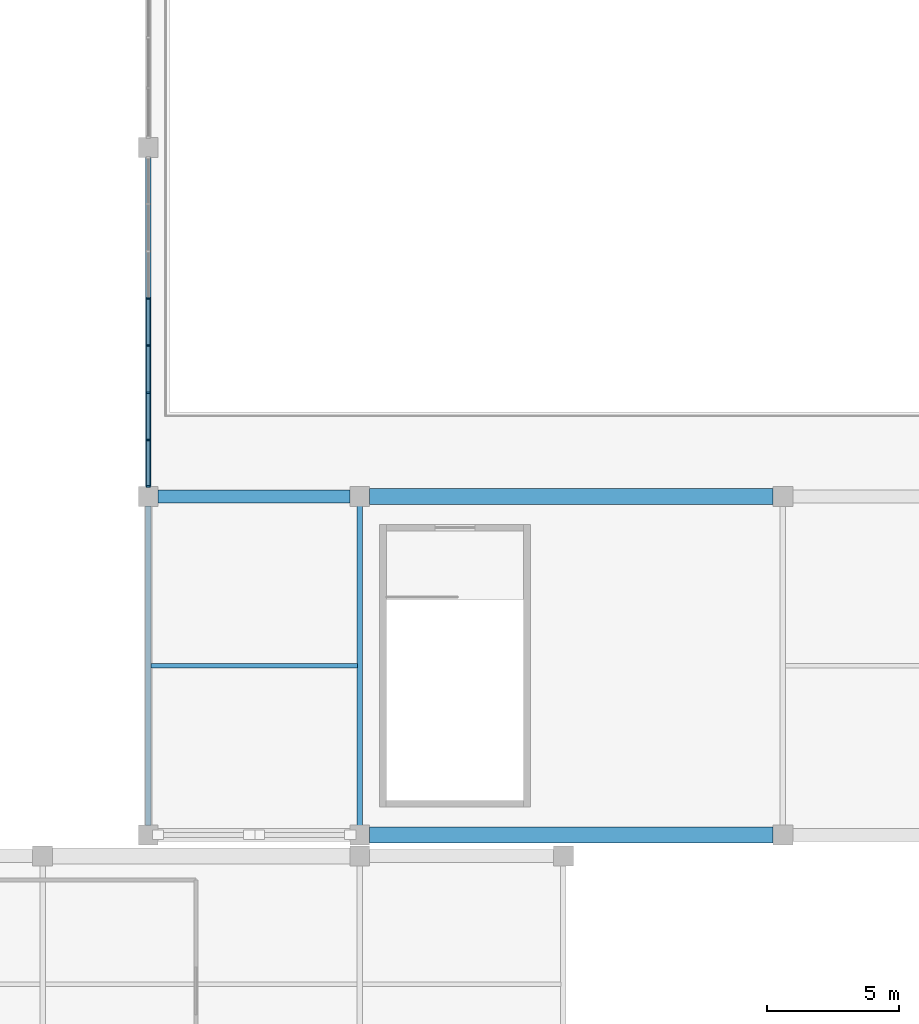
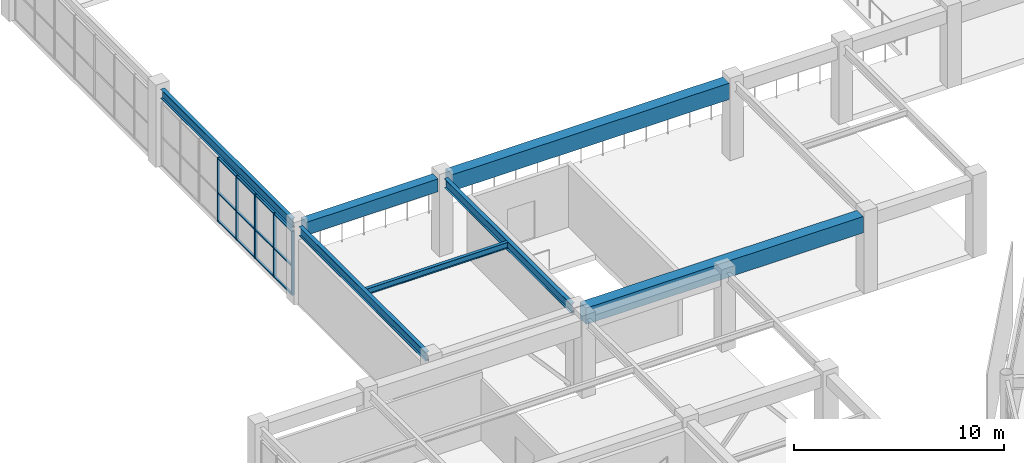
# One storey, part 41 of 112: 17 members, 7 beams, 1 element without a shape of its own.
"""IFC4 building model written with IfcOpenShell, lengths in metres."""

from ifc_helpers import new_model, si_unit, direction, frame, origin, origin_2d, place, context, subcontext, project, spatial, rectangle, i_section, extrude, material, material_profile, profile_set, type_object, element, aggregate, save


model = new_model("IFC4")

# Units and contexts
model_context = context("Model", 3, precision=1e-05, world=origin(), true_north=direction((0.0, 1.0)))
body_context = subcontext(model_context, "Body", "Model", "MODEL_VIEW")
ifc_project = project(units=[si_unit("LENGTHUNIT", "METRE"), si_unit("AREAUNIT", "SQUARE_METRE"), si_unit("VOLUMEUNIT", "CUBIC_METRE"), si_unit("PLANEANGLEUNIT", "RADIAN"), si_unit("MASSUNIT", "GRAM", prefix="KILO")], contexts=[model_context])

# Site, building, storey
site_placement = place(None, origin())
site = spatial("IfcSite", under=ifc_project, at=site_placement, CompositionType="ELEMENT")
building_placement = place(site_placement, origin())
building = spatial("IfcBuilding", under=site, at=building_placement, Name="Cuetzalor Civic Arena", CompositionType="ELEMENT")
storey_placement = place(building_placement, frame((0.0, 0.0, 11.39990234375)))
storey = spatial("IfcBuildingStorey", under=building, at=storey_placement, Name="L02", CompositionType="ELEMENT", Elevation=11.39990234375)

# Beams
ifc_material_1 = material(Name="Concrete C40/50", Category="concrete")
ifc_material_profile_1 = material_profile(ifc_material_1, rectangle(XDim=0.5, YDim=0.75, at=origin_2d()), Name="RC 500x750")
ifc_profile_set_1 = profile_set([ifc_material_profile_1], Name="Concrete C40/50")
beam_type_1 = type_object("IfcBeamType", Name="ConcreteFrameBeam_500x750", PredefinedType="BEAM", material=ifc_profile_set_1)
beam_1_placement = place(storey_placement, frame((-71.635009765625, 48.300048828125, 4.10498046875), z_axis=(1.0, 0.0, 0.0), x_axis=(0.0, 1.0, 0.0)))
element("IfcBeam", 1, at=beam_1_placement, inside=storey, type_object=beam_type_1, Name="Frame Girder V5-L02-X0784", PredefinedType="BEAM", context=body_context, shape_type="SweptSolid", body=[
    extrude(rectangle(XDim=0.5, YDim=0.75, at=origin_2d()), origin(), (0.0, 0.0, 1.0), 7.27001953125),
])
ifc_material_2 = material(Name="Concrete C40/50", Category="concrete")
ifc_material_profile_2 = material_profile(ifc_material_2, rectangle(XDim=0.60009765625, YDim=0.949951171875, at=origin_2d()), Name="RC 600x950")
ifc_profile_set_2 = profile_set([ifc_material_profile_2], Name="Concrete C40/50")
beam_type_2 = type_object("IfcBeamType", Name="ConcreteFrameBeam_600x950", PredefinedType="BEAM", material=ifc_profile_set_2)
for number, where, z_axis, x_axis, name in (
    (2, (-63.635009765625, 35.5, 4.005126953125), (1.0, 0.0, 0.0), (0.0, 1.0, 0.0), "Frame Girder V5-L02-X0779"),
    (3, (-63.635009765625, 48.300048828125, 4.005126953125), (1.0, 0.0, 0.0), (0.0, 1.0, 0.0), "Frame Girder V5-L02-X0785"),
):
    element("IfcBeam", number, at=place(storey_placement, frame(where, z_axis=z_axis, x_axis=x_axis)), inside=storey, type_object=beam_type_2, Name=name, PredefinedType="BEAM", context=body_context, shape_type="SweptSolid", body=[
        extrude(rectangle(XDim=0.60009765625, YDim=0.949951171875, at=origin_2d()), origin(), (0.0, 0.0, 1.0), 15.27001953125),
    ])

# Curtain wall, members
ifc_material_3 = material(Name="Anodised dark bronze aluminium and low-E solar glass", Category="aluminium")
curtain_wall_type = type_object("IfcCurtainWallType", Name="StickCW_12500x3700", PredefinedType="USERDEFINED", material=ifc_material_3)
curtain_wall_placement = place(storey_placement, origin())
curtain_wall = element("IfcCurtainWall", 4, at=curtain_wall_placement, inside=storey, type_object=curtain_wall_type, Name="Practice Court West Clerestory Curtain Wall L02-161", ObjectType="STICK CURTAIN WALL", PredefinedType="USERDEFINED")
ifc_material_4 = material(Name="Anodised dark bronze aluminium", Category="aluminium")
ifc_material_profile_3 = material_profile(ifc_material_4, rectangle(XDim=0.06494140625, YDim=0.14990234375, at=origin_2d()), Name="ALU MULLION 65x150")
ifc_profile_set_3 = profile_set([ifc_material_profile_3], Name="Anodised dark bronze aluminium")
member_type_1 = type_object("IfcMemberType", Name="CurtainWallMullion_60x150", PredefinedType="MULLION", material=ifc_profile_set_3)
member_1_placement = place(storey_placement, frame((-72.0, 48.689453125, 0.0), z_axis=(0.0, 0.0, 1.0), x_axis=(0.0, 1.0, 0.0)))
member_1 = element("IfcMember", 5, at=member_1_placement, type_object=member_type_1, Name="CW-54 mullion 1", PredefinedType="MULLION", context=body_context, shape_type="SweptSolid", body=[
    extrude(rectangle(XDim=0.06494140625, YDim=0.14990234375, at=origin_2d()), origin(), (0.0, 0.0, 1.0), 3.72021484375),
])
member_2_placement = place(storey_placement, frame((-72.0, 50.440673828125, 0.0), z_axis=(0.0, 0.0, 1.0), x_axis=(0.0, 1.0, 0.0)))
member_2 = element("IfcMember", 6, at=member_2_placement, type_object=member_type_1, Name="CW-54 mullion 2", PredefinedType="MULLION", context=body_context, shape_type="SweptSolid", body=[
    extrude(rectangle(XDim=0.06494140625, YDim=0.14990234375, at=origin_2d()), origin(), (0.0, 0.0, 1.0), 3.72021484375),
])
member_3_placement = place(storey_placement, frame((-72.0, 52.224365234375, 0.0), z_axis=(0.0, 0.0, 1.0), x_axis=(0.0, 1.0, 0.0)))
member_3 = element("IfcMember", 7, at=member_3_placement, type_object=member_type_1, Name="CW-54 mullion 3", PredefinedType="MULLION", context=body_context, shape_type="SweptSolid", body=[
    extrude(rectangle(XDim=0.06494140625, YDim=0.14990234375, at=origin_2d()), origin(), (0.0, 0.0, 1.0), 3.72021484375),
])
member_4_placement = place(storey_placement, frame((-72.0, 54.008056640625, 0.0), z_axis=(0.0, 0.0, 1.0), x_axis=(0.0, 1.0, 0.0)))
member_4 = element("IfcMember", 8, at=member_4_placement, type_object=member_type_1, Name="CW-54 mullion 4", PredefinedType="MULLION", context=body_context, shape_type="SweptSolid", body=[
    extrude(rectangle(XDim=0.06494140625, YDim=0.14990234375, at=origin_2d()), origin(), (0.0, 0.0, 1.0), 3.72021484375),
])
member_5_placement = place(storey_placement, frame((-72.0, 55.791748046875, 0.0), z_axis=(0.0, 0.0, 1.0), x_axis=(0.0, 1.0, 0.0)))
member_5 = element("IfcMember", 9, at=member_5_placement, type_object=member_type_1, Name="CW-54 mullion 5", PredefinedType="MULLION", context=body_context, shape_type="SweptSolid", body=[
    extrude(rectangle(XDim=0.06494140625, YDim=0.14990234375, at=origin_2d()), origin(), (0.0, 0.0, 1.0), 3.72021484375),
])
ifc_material_5 = material(Name="Anodised dark bronze aluminium", Category="aluminium")
ifc_material_profile_4 = material_profile(ifc_material_5, rectangle(XDim=0.1201171875, YDim=0.06494140625, at=origin_2d()), Name="ALU TRANSOM 65x120")
ifc_profile_set_4 = profile_set([ifc_material_profile_4], Name="Anodised dark bronze aluminium")
member_type_2 = type_object("IfcMemberType", Name="CurtainWallTransom_60x120", PredefinedType="USERDEFINED", material=ifc_profile_set_4)
member_6_placement = place(storey_placement, frame((-72.0, 48.721923828125, 0.03271484375), z_axis=(0.0, 1.0, 0.0), x_axis=(-1.0, 0.0, 0.0)))
member_6 = element("IfcMember", 10, at=member_6_placement, type_object=member_type_2, Name="CW-54 transom 1.1", ObjectType="TRANSOM", PredefinedType="USERDEFINED", context=body_context, shape_type="SweptSolid", body=[
    extrude(rectangle(XDim=0.1201171875, YDim=0.06494140625, at=origin_2d()), origin(), (0.0, 0.0, 1.0), 1.686279296875),
])
member_7_placement = place(storey_placement, frame((-72.0, 48.721923828125, 1.674072265625), z_axis=(0.0, 1.0, 0.0), x_axis=(-1.0, 0.0, 0.0)))
member_7 = element("IfcMember", 11, at=member_7_placement, type_object=member_type_2, Name="CW-54 transom 1.2", ObjectType="TRANSOM", PredefinedType="USERDEFINED", context=body_context, shape_type="SweptSolid", body=[
    extrude(rectangle(XDim=0.1201171875, YDim=0.06494140625, at=origin_2d()), origin(), (0.0, 0.0, 1.0), 1.686279296875),
])
member_8_placement = place(storey_placement, frame((-72.0, 48.721923828125, 3.6875), z_axis=(0.0, 1.0, 0.0), x_axis=(-1.0, 0.0, 0.0)))
member_8 = element("IfcMember", 12, at=member_8_placement, type_object=member_type_2, Name="CW-54 transom 1.3", ObjectType="TRANSOM", PredefinedType="USERDEFINED", context=body_context, shape_type="SweptSolid", body=[
    extrude(rectangle(XDim=0.1201171875, YDim=0.06494140625, at=origin_2d()), origin(), (0.0, 0.0, 1.0), 1.686279296875),
])
member_9_placement = place(storey_placement, frame((-72.0, 50.47314453125, 0.03271484375), z_axis=(0.0, 1.0, 0.0), x_axis=(-1.0, 0.0, 0.0)))
member_9 = element("IfcMember", 13, at=member_9_placement, type_object=member_type_2, Name="CW-54 transom 2.1", ObjectType="TRANSOM", PredefinedType="USERDEFINED", context=body_context, shape_type="SweptSolid", body=[
    extrude(rectangle(XDim=0.1201171875, YDim=0.06494140625, at=origin_2d()), origin(), (0.0, 0.0, 1.0), 1.71875),
])
member_10_placement = place(storey_placement, frame((-72.0, 50.47314453125, 1.674072265625), z_axis=(0.0, 1.0, 0.0), x_axis=(-1.0, 0.0, 0.0)))
member_10 = element("IfcMember", 14, at=member_10_placement, type_object=member_type_2, Name="CW-54 transom 2.2", ObjectType="TRANSOM", PredefinedType="USERDEFINED", context=body_context, shape_type="SweptSolid", body=[
    extrude(rectangle(XDim=0.1201171875, YDim=0.06494140625, at=origin_2d()), origin(), (0.0, 0.0, 1.0), 1.71875),
])
member_11_placement = place(storey_placement, frame((-72.0, 50.47314453125, 3.6875), z_axis=(0.0, 1.0, 0.0), x_axis=(-1.0, 0.0, 0.0)))
member_11 = element("IfcMember", 15, at=member_11_placement, type_object=member_type_2, Name="CW-54 transom 2.3", ObjectType="TRANSOM", PredefinedType="USERDEFINED", context=body_context, shape_type="SweptSolid", body=[
    extrude(rectangle(XDim=0.1201171875, YDim=0.06494140625, at=origin_2d()), origin(), (0.0, 0.0, 1.0), 1.71875),
])
member_12_placement = place(storey_placement, frame((-72.0, 52.2568359375, 0.03271484375), z_axis=(0.0, 1.0, 0.0), x_axis=(-1.0, 0.0, 0.0)))
member_12 = element("IfcMember", 16, at=member_12_placement, type_object=member_type_2, Name="CW-54 transom 3.1", ObjectType="TRANSOM", PredefinedType="USERDEFINED", context=body_context, shape_type="SweptSolid", body=[
    extrude(rectangle(XDim=0.1201171875, YDim=0.06494140625, at=origin_2d()), origin(), (0.0, 0.0, 1.0), 1.71875),
])
member_13_placement = place(storey_placement, frame((-72.0, 52.2568359375, 1.674072265625), z_axis=(0.0, 1.0, 0.0), x_axis=(-1.0, 0.0, 0.0)))
member_13 = element("IfcMember", 17, at=member_13_placement, type_object=member_type_2, Name="CW-54 transom 3.2", ObjectType="TRANSOM", PredefinedType="USERDEFINED", context=body_context, shape_type="SweptSolid", body=[
    extrude(rectangle(XDim=0.1201171875, YDim=0.06494140625, at=origin_2d()), origin(), (0.0, 0.0, 1.0), 1.71875),
])
member_14_placement = place(storey_placement, frame((-72.0, 52.2568359375, 3.6875), z_axis=(0.0, 1.0, 0.0), x_axis=(-1.0, 0.0, 0.0)))
member_14 = element("IfcMember", 18, at=member_14_placement, type_object=member_type_2, Name="CW-54 transom 3.3", ObjectType="TRANSOM", PredefinedType="USERDEFINED", context=body_context, shape_type="SweptSolid", body=[
    extrude(rectangle(XDim=0.1201171875, YDim=0.06494140625, at=origin_2d()), origin(), (0.0, 0.0, 1.0), 1.71875),
])
member_15_placement = place(storey_placement, frame((-72.0, 54.04052734375, 0.03271484375), z_axis=(0.0, 1.0, 0.0), x_axis=(-1.0, 0.0, 0.0)))
member_15 = element("IfcMember", 19, at=member_15_placement, type_object=member_type_2, Name="CW-54 transom 4.1", ObjectType="TRANSOM", PredefinedType="USERDEFINED", context=body_context, shape_type="SweptSolid", body=[
    extrude(rectangle(XDim=0.1201171875, YDim=0.06494140625, at=origin_2d()), origin(), (0.0, 0.0, 1.0), 1.71875),
])
member_16_placement = place(storey_placement, frame((-72.0, 54.04052734375, 1.674072265625), z_axis=(0.0, 1.0, 0.0), x_axis=(-1.0, 0.0, 0.0)))
member_16 = element("IfcMember", 20, at=member_16_placement, type_object=member_type_2, Name="CW-54 transom 4.2", ObjectType="TRANSOM", PredefinedType="USERDEFINED", context=body_context, shape_type="SweptSolid", body=[
    extrude(rectangle(XDim=0.1201171875, YDim=0.06494140625, at=origin_2d()), origin(), (0.0, 0.0, 1.0), 1.71875),
])
member_17_placement = place(storey_placement, frame((-72.0, 54.04052734375, 3.6875), z_axis=(0.0, 1.0, 0.0), x_axis=(-1.0, 0.0, 0.0)))
member_17 = element("IfcMember", 21, at=member_17_placement, type_object=member_type_2, Name="CW-54 transom 4.3", ObjectType="TRANSOM", PredefinedType="USERDEFINED", context=body_context, shape_type="SweptSolid", body=[
    extrude(rectangle(XDim=0.1201171875, YDim=0.06494140625, at=origin_2d()), origin(), (0.0, 0.0, 1.0), 1.71875),
])
aggregate(curtain_wall, [member_1, member_2, member_3, member_4, member_5, member_6, member_7, member_8, member_9, member_10, member_11, member_12, member_13, member_14, member_15, member_16, member_17])

# Beams
ifc_material_6 = material(Name="Steel S355", Category="steel")
ifc_material_profile_5 = material_profile(ifc_material_6, i_section(OverallWidth=0.1708984375, OverallDepth=0.35498046875, WebThickness=0.007080078125, FlangeThickness=0.01171875, at=origin_2d()), Name="W360x51")
ifc_profile_set_5 = profile_set([ifc_material_profile_5], Name="Steel S355")
beam_type_3 = type_object("IfcBeamType", Name="SecondaryFloorJoist_W360", PredefinedType="JOIST", material=ifc_profile_set_5)
beam_2_placement = place(storey_placement, frame((-71.903564453125, 41.89990234375, 4.302490234375), z_axis=(1.0, 0.0, 0.0), x_axis=(0.0, 1.0, 0.0)))
element("IfcBeam", 22, at=beam_2_placement, inside=storey, type_object=beam_type_3, Name="Secondary Floor Joist V5-L02-0245", PredefinedType="JOIST", context=body_context, shape_type="SweptSolid", body=[
    extrude(i_section(OverallWidth=0.1708984375, OverallDepth=0.35498046875, WebThickness=0.007080078125, FlangeThickness=0.01171875, at=origin_2d()), origin(), (0.0, 0.0, 1.0), 7.80712890625),
])
ifc_material_7 = material(Name="Steel S355", Category="steel")
ifc_material_profile_6 = material_profile(ifc_material_7, i_section(OverallWidth=0.208984375, OverallDepth=0.532958984375, WebThickness=0.01025390625, FlangeThickness=0.015625, at=origin_2d()), Name="W530x92")
ifc_profile_set_6 = profile_set([ifc_material_profile_6], Name="Steel S355")
beam_type_4 = type_object("IfcBeamType", Name="SteelCollarGirder_W530", PredefinedType="BEAM", material=ifc_profile_set_6)
beam_3_placement = place(storey_placement, frame((-72.0, 35.864990234375, 4.213623046875), z_axis=(0.0, 1.0, 0.0), x_axis=(-1.0, 0.0, 0.0)))
element("IfcBeam", 23, at=beam_3_placement, inside=storey, type_object=beam_type_4, Name="Frame Girder V5-L02-Y0822", PredefinedType="BEAM", context=body_context, shape_type="SweptSolid", body=[
    extrude(i_section(OverallWidth=0.208984375, OverallDepth=0.532958984375, WebThickness=0.01025390625, FlangeThickness=0.015625, at=origin_2d()), origin(), (0.0, 0.0, 1.0), 12.070068359375),
])
beam_4_placement = place(storey_placement, frame((-72.0, 48.6650390625, 4.213623046875), z_axis=(0.0, 1.0, 0.0), x_axis=(-1.0, 0.0, 0.0)))
element("IfcBeam", 24, at=beam_4_placement, inside=storey, type_object=beam_type_4, Name="Frame Girder V5-L02-Y0823", PredefinedType="BEAM", context=body_context, shape_type="SweptSolid", body=[
    extrude(i_section(OverallWidth=0.208984375, OverallDepth=0.532958984375, WebThickness=0.01025390625, FlangeThickness=0.015625, at=origin_2d()), origin(), (0.0, 0.0, 1.0), 12.469970703125),
])
beam_5_placement = place(storey_placement, frame((-64.0, 35.864990234375, 4.213623046875), z_axis=(0.0, 1.0, 0.0), x_axis=(-1.0, 0.0, 0.0)))
element("IfcBeam", 25, at=beam_5_placement, inside=storey, type_object=beam_type_4, Name="Frame Girder V5-L02-Y0825", PredefinedType="BEAM", context=body_context, shape_type="SweptSolid", body=[
    extrude(i_section(OverallWidth=0.208984375, OverallDepth=0.532958984375, WebThickness=0.01025390625, FlangeThickness=0.015625, at=origin_2d()), origin(), (0.0, 0.0, 1.0), 12.070068359375),
])

save(model, "model.ifc")
